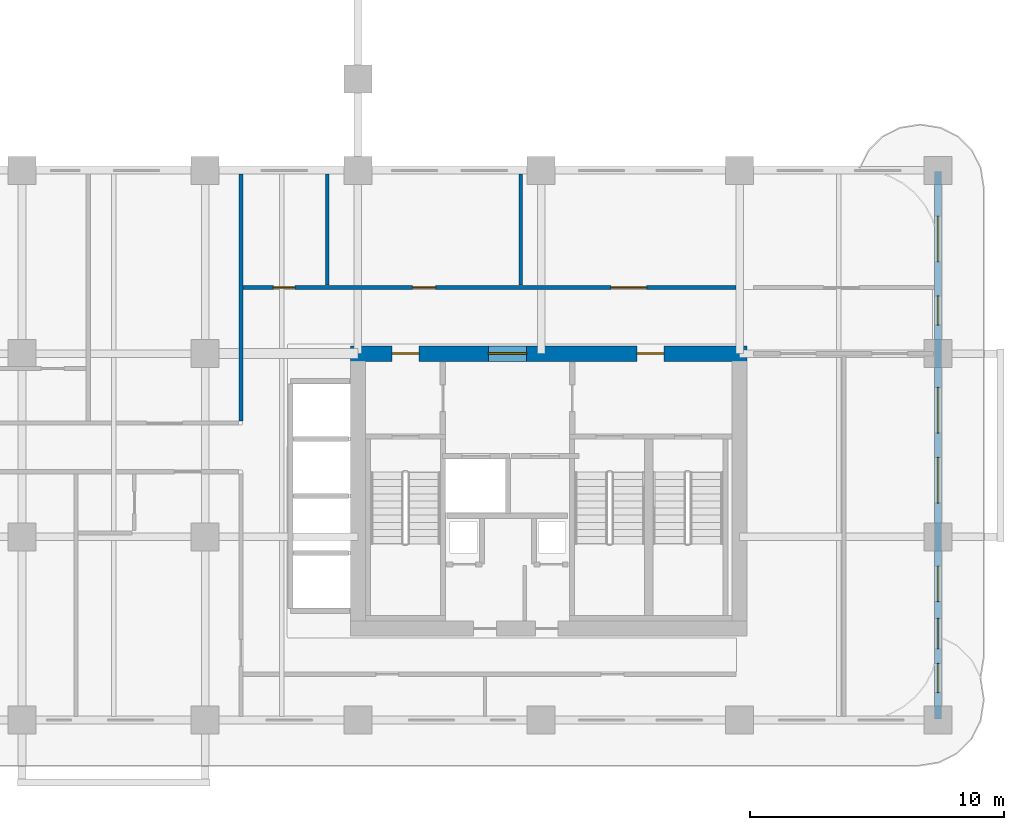
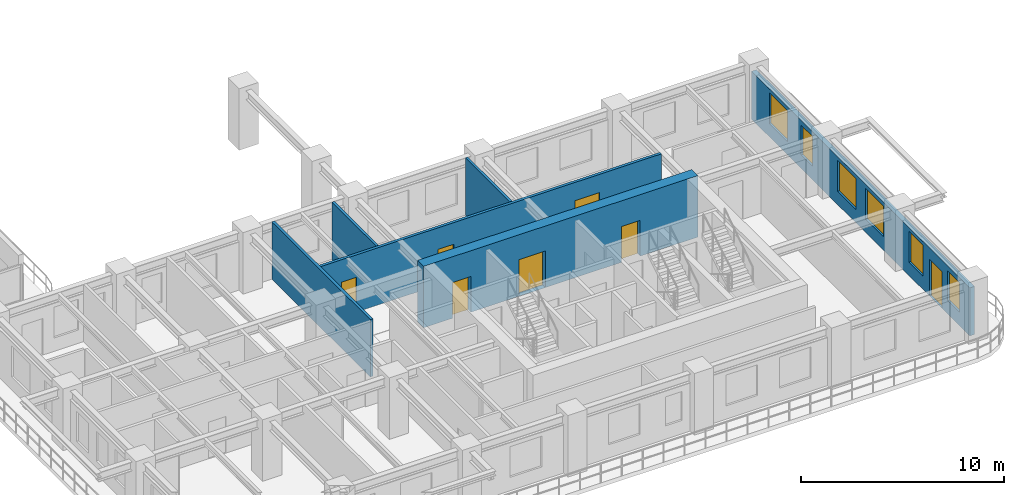
# One storey, part 9 of 19: 7 doors, 6 walls, 6 windows, 13 openings.
"""IFC4 building model written with IfcOpenShell, lengths in metres."""

from ifc_helpers import new_model, si_unit, derived_unit, direction, frame, frame_2d, origin, place, context, subcontext, project, spatial, rectangle, extrude, source, transform, mapped, material, layer, layer_set, type_object, type_shapes, element, fill, save


model = new_model("IFC4")

# Units and contexts
model_context = context("Model", 3, precision=1e-05, world=origin(), true_north=direction((0.0, 1.0)))
body_context = subcontext(model_context, "Body", "Model", "MODEL_VIEW")
ifc_project = project(units=[si_unit("LENGTHUNIT", "METRE"), si_unit("AREAUNIT", "SQUARE_METRE"), si_unit("VOLUMEUNIT", "CUBIC_METRE"), si_unit("PLANEANGLEUNIT", "RADIAN"), si_unit("MASSUNIT", "GRAM", prefix="KILO"), si_unit("THERMODYNAMICTEMPERATUREUNIT", "KELVIN"), si_unit("POWERUNIT", "WATT"), derived_unit("THERMALTRANSMITTANCEUNIT", [(si_unit("POWERUNIT", "WATT"), 1), (si_unit("AREAUNIT", "SQUARE_METRE"), -1), (si_unit("THERMODYNAMICTEMPERATUREUNIT", "KELVIN"), -1)])], contexts=[model_context])

# Site, building, storey
site_placement = place(None, origin())
site = spatial("IfcSite", under=ifc_project, at=site_placement, CompositionType="ELEMENT")
building_placement = place(site_placement, origin())
building = spatial("IfcBuilding", under=site, at=building_placement, Name="Zahravan Archway Hotel and Residences", CompositionType="ELEMENT")
storey_placement = place(building_placement, frame((0.0, 0.0, 43.5)))
storey = spatial("IfcBuildingStorey", under=building, at=storey_placement, Name="L09", CompositionType="ELEMENT", Elevation=43.5)

# Wall, openings, doors
ifc_material_1 = material(Name="Concrete C70/85", Category="concrete")
ifc_layer_1 = layer(ifc_material_1, 0.60009765625, Name="Concrete C70/85", Category="concrete")
ifc_layer_set_1 = layer_set([ifc_layer_1], Name="Concrete C70/85")
wall_type_1 = type_object("IfcWallType", Name="CW-CORE-600", PredefinedType="SHEAR", material=ifc_layer_set_1)
wall_1_placement = place(storey_placement, frame((34.5, 14.39990234375, 0.0), z_axis=(0.0, 0.0, 1.0), x_axis=(1.0, 0.0, 0.0)))
wall_1 = element("IfcWall", 1, at=wall_1_placement, inside=storey, type_object=wall_type_1, Name="L09 Core A Shear N Wall 600 mm", PredefinedType="SHEAR", context=body_context, shape_type="SweptSolid", body=[
    extrude(rectangle(XDim=15.60009765625, YDim=0.60009765625, at=frame_2d((7.800048828125, 0.0))), origin(), (0.0, 0.0, 1.0), 3.699951171875),
])
opening_1_placement = place(wall_1_placement, frame((5.429931640625, 0.0, 0.0)))
opening_1 = element("IfcOpeningElement", 2, at=opening_1_placement, cuts=wall_1, Name="Opening FD-L1", PredefinedType="OPENING", context=body_context, shape_type="SweptSolid", body=[
    extrude(rectangle(XDim=1.5, YDim=2.199951171875, at=frame_2d((0.75, 1.10009765625))), frame((0.0, 0.31005859375, 0.0), z_axis=(0.0, -1.0, 0.0), x_axis=(1.0, 0.0, 0.0)), (0.0, 0.0, 1.0), 0.6201171875),
])
opening_2_placement = place(wall_1_placement, frame((1.64501953125, 0.0, 0.0)))
opening_2 = element("IfcOpeningElement", 3, at=opening_2_placement, cuts=wall_1, Name="Opening FD-L2", PredefinedType="OPENING", context=body_context, shape_type="SweptSolid", body=[
    extrude(rectangle(XDim=1.050048828125, YDim=2.14990234375, at=frame_2d((0.52490234375, 1.074951171875))), frame((0.0, 0.31005859375, 0.0), z_axis=(0.0, -1.0, 0.0), x_axis=(1.0, 0.0, 0.0)), (0.0, 0.0, 1.0), 0.6201171875),
])
opening_3_placement = place(wall_1_placement, frame((11.27490234375, 0.0, 0.0)))
opening_3 = element("IfcOpeningElement", 4, at=opening_3_placement, cuts=wall_1, Name="Opening FD-L2", PredefinedType="OPENING", context=body_context, shape_type="SweptSolid", body=[
    extrude(rectangle(XDim=1.050048828125, YDim=2.14990234375, at=frame_2d((0.52490234375, 1.074951171875))), frame((0.0, 0.31005859375, 0.0), z_axis=(0.0, -1.0, 0.0), x_axis=(1.0, 0.0, 0.0)), (0.0, 0.0, 1.0), 0.6201171875),
])
ifc_material_2 = material(Name="Fire-Rated Painted Steel", Category="steel")
door_type_1 = type_object("IfcDoorType", Name="FD-LOBBY-1100", OperationType="NOTDEFINED", PredefinedType="DOOR", material=ifc_material_2)
shared_shape_1 = source(origin(), body_context, "Body", "SweptSolid", [
    extrude(rectangle(XDim=1.050048828125, YDim=2.14990234375, at=frame_2d((0.52490234375, 1.074951171875))), frame((0.0, 0.02490234375, 0.0), z_axis=(0.0, -1.0, 0.0), x_axis=(1.0, 0.0, 0.0)), (0.0, 0.0, 1.0), 0.050048828125),
])
type_shapes(door_type_1, [shared_shape_1])
door_1_placement = place(opening_2_placement, origin())
door_1 = element("IfcDoor", 5, at=door_1_placement, inside=storey, type_object=door_type_1, Name="L09 Core A West Stair Lobby Door", OperationType="SINGLE_SWING_RIGHT", OverallHeight=2.14990234375, OverallWidth=1.050048828125, PredefinedType="DOOR", context=body_context, shape_type="MappedRepresentation", body=[
    mapped(shared_shape_1, transform((0.0, 0.0, 0.0), scale=1.0)),
])
fill(opening_2, door_1)
door_2_placement = place(opening_3_placement, origin())
door_2 = element("IfcDoor", 6, at=door_2_placement, inside=storey, type_object=door_type_1, Name="L09 Core A East Stair Lobby Door", OperationType="SINGLE_SWING_LEFT", OverallHeight=2.14990234375, OverallWidth=1.050048828125, PredefinedType="DOOR", context=body_context, shape_type="MappedRepresentation", body=[
    mapped(shared_shape_1, transform((0.0, 0.0, 0.0), scale=1.0)),
])
fill(opening_3, door_2)
door_type_2 = type_object("IfcDoorType", Name="FD-LOBBY-1500", OperationType="DOUBLE_DOOR_SINGLE_SWING", PredefinedType="DOOR", material=ifc_material_2)
shared_shape_2 = source(origin(), body_context, "Body", "SweptSolid", [
    extrude(rectangle(XDim=1.5, YDim=2.199951171875, at=frame_2d((0.75, 1.10009765625))), frame((0.0, 0.02490234375, 0.0), z_axis=(0.0, -1.0, 0.0), x_axis=(1.0, 0.0, 0.0)), (0.0, 0.0, 1.0), 0.050048828125),
])
type_shapes(door_type_2, [shared_shape_2])
door_3_placement = place(opening_1_placement, origin())
door_3 = element("IfcDoor", 7, at=door_3_placement, inside=storey, type_object=door_type_2, Name="L09 Core A FSAE Lobby Main Door", OperationType="DOUBLE_DOOR_SINGLE_SWING", OverallHeight=2.199951171875, OverallWidth=1.5, PredefinedType="DOOR", context=body_context, shape_type="MappedRepresentation", body=[
    mapped(shared_shape_2, transform((0.0, 0.0, 0.0), scale=1.0)),
])
fill(opening_1, door_3)

# Wall, openings, door, windows
ifc_material_3 = material(Name="Honed Red-Ochre Sandstone & Insulated Block", Category="masonry")
ifc_layer_2 = layer(ifc_material_3, 0.280029296875, Name="Honed Red-Ochre Sandstone & Insulated Block", Category="masonry")
ifc_layer_set_2 = layer_set([ifc_layer_2], Name="Honed Red-Ochre Sandstone & Insulated Block")
wall_type_2 = type_object("IfcWallType", Name="EW-LOG-280", PredefinedType="SOLIDWALL", material=ifc_layer_set_2)
wall_2_placement = place(storey_placement, frame((57.60009765625, 0.050048828125, 0.0), z_axis=(0.0, 0.0, 1.0), x_axis=(0.0, 1.0, 0.0)))
wall_2 = element("IfcWall", 8, at=wall_2_placement, inside=storey, type_object=wall_type_2, Name="L09 Exterior Sandstone Wall WA-E", PredefinedType="SOLIDWALL", context=body_context, shape_type="SweptSolid", body=[
    extrude(rectangle(XDim=21.5, YDim=0.280029296875, at=frame_2d((10.75, 0.0))), origin(), (0.0, 0.0, 1.0), 2.885009765625),
])
opening_4_placement = place(wall_2_placement, frame((2.75, 0.0, 0.0)))
opening_4 = element("IfcOpeningElement", 9, at=opening_4_placement, cuts=wall_2, Name="Opening ED-BL1", PredefinedType="OPENING", context=body_context, shape_type="SweptSolid", body=[
    extrude(rectangle(XDim=1.199951171875, YDim=2.199951171875, at=frame_2d((0.60009765625, 1.10009765625))), frame((0.0, 0.14990234375, 0.0), z_axis=(0.0, -1.0, 0.0), x_axis=(1.0, 0.0, 0.0)), (0.0, 0.0, 1.0), 0.300048828125),
])
opening_5_placement = place(wall_2_placement, frame((1.02490234375, 0.0, 0.800048828125)))
opening_5 = element("IfcOpeningElement", 10, at=opening_5_placement, cuts=wall_2, Name="Opening W-05", PredefinedType="OPENING", context=body_context, shape_type="SweptSolid", body=[
    extrude(rectangle(XDim=1.14990234375, YDim=1.800048828125, at=frame_2d((0.574951171875, 0.89990234375))), frame((0.0, 0.14990234375, 0.0), z_axis=(0.0, -1.0, 0.0), x_axis=(1.0, 0.0, 0.0)), (0.0, 0.0, 1.0), 0.300048828125),
])
opening_6_placement = place(wall_2_placement, frame((4.60009765625, 0.0, 0.800048828125)))
opening_6 = element("IfcOpeningElement", 11, at=opening_6_placement, cuts=wall_2, Name="Opening W-03", PredefinedType="OPENING", context=body_context, shape_type="SweptSolid", body=[
    extrude(rectangle(XDim=1.39990234375, YDim=1.85009765625, at=frame_2d((0.699951171875, 0.925048828125))), frame((0.0, 0.14990234375, 0.0), z_axis=(0.0, -1.0, 0.0), x_axis=(1.0, 0.0, 0.0)), (0.0, 0.0, 1.0), 0.300048828125),
])
opening_7_placement = place(wall_2_placement, frame((8.47509765625, 0.0, 0.800048828125)))
opening_7 = element("IfcOpeningElement", 12, at=opening_7_placement, cuts=wall_2, Name="Opening W-02", PredefinedType="OPENING", context=body_context, shape_type="SweptSolid", body=[
    extrude(rectangle(XDim=1.800048828125, YDim=1.85009765625, at=frame_2d((0.89990234375, 0.925048828125))), frame((0.0, 0.14990234375, 0.0), z_axis=(0.0, -1.0, 0.0), x_axis=(1.0, 0.0, 0.0)), (0.0, 0.0, 1.0), 0.300048828125),
])
opening_8_placement = place(wall_2_placement, frame((11.22509765625, 0.0, 0.800048828125)))
opening_8 = element("IfcOpeningElement", 13, at=opening_8_placement, cuts=wall_2, Name="Opening W-02", PredefinedType="OPENING", context=body_context, shape_type="SweptSolid", body=[
    extrude(rectangle(XDim=1.800048828125, YDim=1.85009765625, at=frame_2d((0.89990234375, 0.925048828125))), frame((0.0, 0.14990234375, 0.0), z_axis=(0.0, -1.0, 0.0), x_axis=(1.0, 0.0, 0.0)), (0.0, 0.0, 1.0), 0.300048828125),
])
opening_9_placement = place(wall_2_placement, frame((15.470947265625, 0.0, 0.800048828125)))
opening_9 = element("IfcOpeningElement", 14, at=opening_9_placement, cuts=wall_2, Name="Opening W-05", PredefinedType="OPENING", context=body_context, shape_type="SweptSolid", body=[
    extrude(rectangle(XDim=1.14990234375, YDim=1.800048828125, at=frame_2d((0.574951171875, 0.89990234375))), frame((0.0, 0.14990234375, 0.0), z_axis=(0.0, -1.0, 0.0), x_axis=(1.0, 0.0, 0.0)), (0.0, 0.0, 1.0), 0.300048828125),
])
opening_10_placement = place(wall_2_placement, frame((17.9541015625, 0.0, 0.800048828125)))
opening_10 = element("IfcOpeningElement", 15, at=opening_10_placement, cuts=wall_2, Name="Opening W-02", PredefinedType="OPENING", context=body_context, shape_type="SweptSolid", body=[
    extrude(rectangle(XDim=1.800048828125, YDim=1.85009765625, at=frame_2d((0.89990234375, 0.925048828125))), frame((0.0, 0.14990234375, 0.0), z_axis=(0.0, -1.0, 0.0), x_axis=(1.0, 0.0, 0.0)), (0.0, 0.0, 1.0), 0.300048828125),
])
ifc_material_4 = material(Name="Bronze-Anodized Glazed Aluminium", Category="aluminium")
door_type_3 = type_object("IfcDoorType", Name="ED-BALC-1200", OperationType="SLIDING_TO_LEFT", PredefinedType="DOOR", material=ifc_material_4)
shared_shape_3 = source(origin(), body_context, "Body", "SweptSolid", [
    extrude(rectangle(XDim=1.199951171875, YDim=2.199951171875, at=frame_2d((0.60009765625, 1.10009765625))), frame((0.0, 0.02490234375, 0.0), z_axis=(0.0, -1.0, 0.0), x_axis=(1.0, 0.0, 0.0)), (0.0, 0.0, 1.0), 0.050048828125),
])
type_shapes(door_type_3, [shared_shape_3])
door_4_placement = place(opening_4_placement, origin())
door_4 = element("IfcDoor", 16, at=door_4_placement, inside=storey, type_object=door_type_3, Name="L09 Outdoor Access Sliding Door (SLB-BAL-L09-EA)", OperationType="SLIDING_TO_LEFT", OverallHeight=2.199951171875, OverallWidth=1.199951171875, PredefinedType="DOOR", context=body_context, shape_type="MappedRepresentation", body=[
    mapped(shared_shape_3, transform((0.0, 0.0, 0.0), scale=1.0)),
])
fill(opening_4, door_4)
ifc_material_5 = material(Name="Bronze-Anodized Thermal-Break Aluminium & Low-E Glass", Category="aluminium")
window_type_1 = type_object("IfcWindowType", Name="WIN-TWR-1400", PartitioningType="SINGLE_PANEL", PredefinedType="WINDOW", material=ifc_material_5)
shared_shape_4 = source(origin(), body_context, "Body", "SweptSolid", [
    extrude(rectangle(XDim=1.39990234375, YDim=1.85009765625, at=frame_2d((0.699951171875, 0.925048828125))), frame((0.0, 0.030029296875, 0.0), z_axis=(0.0, -1.0, 0.0), x_axis=(1.0, 0.0, 0.0)), (0.0, 0.0, 1.0), 0.06005859375),
])
type_shapes(window_type_1, [shared_shape_4])
window_1_placement = place(opening_6_placement, origin())
window_1 = element("IfcWindow", 17, at=window_1_placement, inside=storey, type_object=window_type_1, Name="L09 Loggia Window 12", OverallHeight=1.85009765625, OverallWidth=1.39990234375, PartitioningType="SINGLE_PANEL", PredefinedType="WINDOW", context=body_context, shape_type="MappedRepresentation", body=[
    mapped(shared_shape_4, transform((0.0, 0.0, 0.0), scale=1.0)),
])
fill(opening_6, window_1)
window_type_2 = type_object("IfcWindowType", Name="WIN-TWR-1800", PartitioningType="DOUBLE_PANEL_VERTICAL", PredefinedType="WINDOW", material=ifc_material_5)
shared_shape_5 = source(origin(), body_context, "Body", "SweptSolid", [
    extrude(rectangle(XDim=1.800048828125, YDim=1.85009765625, at=frame_2d((0.89990234375, 0.925048828125))), frame((0.0, 0.030029296875, 0.0), z_axis=(0.0, -1.0, 0.0), x_axis=(1.0, 0.0, 0.0)), (0.0, 0.0, 1.0), 0.06005859375),
])
type_shapes(window_type_2, [shared_shape_5])
window_2_placement = place(opening_7_placement, origin())
window_2 = element("IfcWindow", 18, at=window_2_placement, inside=storey, type_object=window_type_2, Name="L09 Loggia Window 13", OverallHeight=1.85009765625, OverallWidth=1.800048828125, PartitioningType="DOUBLE_PANEL_VERTICAL", PredefinedType="WINDOW", context=body_context, shape_type="MappedRepresentation", body=[
    mapped(shared_shape_5, transform((0.0, 0.0, 0.0), scale=1.0)),
])
fill(opening_7, window_2)
window_3_placement = place(opening_8_placement, origin())
window_3 = element("IfcWindow", 19, at=window_3_placement, inside=storey, type_object=window_type_2, Name="L09 Loggia Window 14", OverallHeight=1.85009765625, OverallWidth=1.800048828125, PartitioningType="DOUBLE_PANEL_VERTICAL", PredefinedType="WINDOW", context=body_context, shape_type="MappedRepresentation", body=[
    mapped(shared_shape_5, transform((0.0, 0.0, 0.0), scale=1.0)),
])
fill(opening_8, window_3)
window_4_placement = place(opening_10_placement, origin())
window_4 = element("IfcWindow", 20, at=window_4_placement, inside=storey, type_object=window_type_2, Name="L09 Loggia Window 16", OverallHeight=1.85009765625, OverallWidth=1.800048828125, PartitioningType="DOUBLE_PANEL_VERTICAL", PredefinedType="WINDOW", context=body_context, shape_type="MappedRepresentation", body=[
    mapped(shared_shape_5, transform((0.0, 0.0, 0.0), scale=1.0)),
])
fill(opening_10, window_4)
window_type_3 = type_object("IfcWindowType", Name="WIN-TWR-1150", PartitioningType="SINGLE_PANEL", PredefinedType="WINDOW", material=ifc_material_5)
shared_shape_6 = source(origin(), body_context, "Body", "SweptSolid", [
    extrude(rectangle(XDim=1.14990234375, YDim=1.800048828125, at=frame_2d((0.574951171875, 0.89990234375))), frame((0.0, 0.030029296875, 0.0), z_axis=(0.0, -1.0, 0.0), x_axis=(1.0, 0.0, 0.0)), (0.0, 0.0, 1.0), 0.06005859375),
])
type_shapes(window_type_3, [shared_shape_6])
window_5_placement = place(opening_5_placement, origin())
window_5 = element("IfcWindow", 21, at=window_5_placement, inside=storey, type_object=window_type_3, Name="L09 Loggia Window 11", OverallHeight=1.800048828125, OverallWidth=1.14990234375, PartitioningType="SINGLE_PANEL", PredefinedType="WINDOW", context=body_context, shape_type="MappedRepresentation", body=[
    mapped(shared_shape_6, transform((0.0, 0.0, 0.0), scale=1.0)),
])
fill(opening_5, window_5)
window_6_placement = place(opening_9_placement, origin())
window_6 = element("IfcWindow", 22, at=window_6_placement, inside=storey, type_object=window_type_3, Name="L09 Loggia Window 15", OverallHeight=1.800048828125, OverallWidth=1.14990234375, PartitioningType="SINGLE_PANEL", PredefinedType="WINDOW", context=body_context, shape_type="MappedRepresentation", body=[
    mapped(shared_shape_6, transform((0.0, 0.0, 0.0), scale=1.0)),
])
fill(opening_9, window_6)

# Wall
ifc_material_6 = material(Name="Fire-Rated Gypsum & Concrete Block", Category="concrete")
ifc_layer_3 = layer(ifc_material_6, 0.159912109375, Name="Fire-Rated Gypsum & Concrete Block", Category="concrete")
ifc_layer_set_3 = layer_set([ifc_layer_3], Name="Fire-Rated Gypsum & Concrete Block")
wall_type_3 = type_object("IfcWallType", Name="PW-CORR-160", PredefinedType="PARTITIONING", material=ifc_layer_set_3)
wall_3_placement = place(storey_placement, frame((30.199951171875, 11.760009765625, 0.0), z_axis=(0.0, 0.0, 1.0), x_axis=(0.0, 1.0, 0.0)))
element("IfcWall", 23, at=wall_3_placement, inside=storey, type_object=wall_type_3, Name="L09 Partition WA-FW", PredefinedType="PARTITIONING", context=body_context, shape_type="SweptSolid", body=[
    extrude(rectangle(XDim=9.699951171875, YDim=0.159912109375, at=frame_2d((4.85009765625, 0.0))), origin(), (0.0, 0.0, 1.0), 3.449951171875),
])

# Wall, openings, doors
wall_4_placement = place(storey_placement, frame((30.2900390625, 17.0, 0.0), z_axis=(0.0, 0.0, 1.0), x_axis=(1.0, 0.0, 0.0)))
wall_4 = element("IfcWall", 24, at=wall_4_placement, inside=storey, type_object=wall_type_3, Name="L09 Partition WA-FN", PredefinedType="PARTITIONING", context=body_context, shape_type="SweptSolid", body=[
    extrude(rectangle(XDim=19.369873046875, YDim=0.159912109375, at=frame_2d((9.68505859375, 0.0))), origin(), (0.0, 0.0, 1.0), 3.449951171875),
])
opening_11_placement = place(wall_4_placement, frame((1.18505859375, 0.0, 0.0)))
opening_11 = element("IfcOpeningElement", 25, at=opening_11_placement, cuts=wall_4, Name="Opening D-B1", PredefinedType="OPENING", context=body_context, shape_type="SweptSolid", body=[
    extrude(rectangle(XDim=0.85009765625, YDim=2.10009765625, at=frame_2d((0.425048828125, 1.050048828125))), frame((0.0, 0.08984375, 0.0), z_axis=(0.0, -1.0, 0.0), x_axis=(1.0, 0.0, 0.0)), (0.0, 0.0, 1.0), 0.179931640625),
])
opening_12_placement = place(wall_4_placement, frame((6.659912109375, 0.0, 0.0)))
opening_12 = element("IfcOpeningElement", 26, at=opening_12_placement, cuts=wall_4, Name="Opening D-I2", PredefinedType="OPENING", context=body_context, shape_type="SweptSolid", body=[
    extrude(rectangle(XDim=0.89990234375, YDim=2.14990234375, at=frame_2d((0.449951171875, 1.074951171875))), frame((0.0, 0.08984375, 0.0), z_axis=(0.0, -1.0, 0.0), x_axis=(1.0, 0.0, 0.0)), (0.0, 0.0, 1.0), 0.179931640625),
])
opening_13_placement = place(wall_4_placement, frame((14.4599609375, 0.0, 0.0)))
opening_13 = element("IfcOpeningElement", 27, at=opening_13_placement, cuts=wall_4, Name="Opening D-P1", PredefinedType="OPENING", context=body_context, shape_type="SweptSolid", body=[
    extrude(rectangle(XDim=1.39990234375, YDim=2.35009765625, at=frame_2d((0.699951171875, 1.175048828125))), frame((0.0, 0.08984375, 0.0), z_axis=(0.0, -1.0, 0.0), x_axis=(1.0, 0.0, 0.0)), (0.0, 0.0, 1.0), 0.179931640625),
])
ifc_material_7 = material(Name="Hardwood Veneer Timber", Category="wood")
door_type_4 = type_object("IfcDoorType", Name="ID-BATH-850", OperationType="NOTDEFINED", PredefinedType="DOOR", material=ifc_material_7)
shared_shape_7 = source(origin(), body_context, "Body", "SweptSolid", [
    extrude(rectangle(XDim=0.85009765625, YDim=2.10009765625, at=frame_2d((0.425048828125, 1.050048828125))), frame((0.0, 0.02490234375, 0.0), z_axis=(0.0, -1.0, 0.0), x_axis=(1.0, 0.0, 0.0)), (0.0, 0.0, 1.0), 0.050048828125),
])
type_shapes(door_type_4, [shared_shape_7])
door_5_placement = place(opening_11_placement, origin())
door_5 = element("IfcDoor", 28, at=door_5_placement, inside=storey, type_object=door_type_4, Name="L09 Accessible Floor Restroom Door", OperationType="SINGLE_SWING_RIGHT", OverallHeight=2.10009765625, OverallWidth=0.85009765625, PredefinedType="DOOR", context=body_context, shape_type="MappedRepresentation", body=[
    mapped(shared_shape_7, transform((0.0, 0.0, 0.0), scale=1.0)),
])
fill(opening_11, door_5)
door_type_5 = type_object("IfcDoorType", Name="ID-PUBLIC-1400", OperationType="DOUBLE_DOOR_SINGLE_SWING", PredefinedType="DOOR", material=ifc_material_4)
shared_shape_8 = source(origin(), body_context, "Body", "SweptSolid", [
    extrude(rectangle(XDim=1.39990234375, YDim=2.35009765625, at=frame_2d((0.699951171875, 1.175048828125))), frame((0.0, 0.02490234375, 0.0), z_axis=(0.0, -1.0, 0.0), x_axis=(1.0, 0.0, 0.0)), (0.0, 0.0, 1.0), 0.050048828125),
])
type_shapes(door_type_5, [shared_shape_8])
door_6_placement = place(opening_13_placement, origin())
door_6 = element("IfcDoor", 29, at=door_6_placement, inside=storey, type_object=door_type_5, Name="L09 Co-Working Room Door", OperationType="DOUBLE_DOOR_SINGLE_SWING", OverallHeight=2.35009765625, OverallWidth=1.39990234375, PredefinedType="DOOR", context=body_context, shape_type="MappedRepresentation", body=[
    mapped(shared_shape_8, transform((0.0, 0.0, 0.0), scale=1.0)),
])
fill(opening_13, door_6)
door_type_6 = type_object("IfcDoorType", Name="ID-INT-900", OperationType="NOTDEFINED", PredefinedType="DOOR", material=ifc_material_7)
shared_shape_9 = source(origin(), body_context, "Body", "SweptSolid", [
    extrude(rectangle(XDim=0.89990234375, YDim=2.14990234375, at=frame_2d((0.449951171875, 1.074951171875))), frame((0.0, 0.02490234375, 0.0), z_axis=(0.0, -1.0, 0.0), x_axis=(1.0, 0.0, 0.0)), (0.0, 0.0, 1.0), 0.050048828125),
])
type_shapes(door_type_6, [shared_shape_9])
door_7_placement = place(opening_12_placement, origin())
door_7 = element("IfcDoor", 30, at=door_7_placement, inside=storey, type_object=door_type_6, Name="L09 Tea Servery Door", OperationType="SINGLE_SWING_LEFT", OverallHeight=2.14990234375, OverallWidth=0.89990234375, PredefinedType="DOOR", context=body_context, shape_type="MappedRepresentation", body=[
    mapped(shared_shape_9, transform((0.0, 0.0, 0.0), scale=1.0)),
])
fill(opening_12, door_7)

# Walls
ifc_material_8 = material(Name="Moisture-Resistant Blockwork", Category="masonry")
ifc_layer_4 = layer(ifc_material_8, 0.139892578125, Name="Moisture-Resistant Blockwork", Category="masonry")
ifc_layer_set_4 = layer_set([ifc_layer_4], Name="Moisture-Resistant Blockwork")
wall_type_4 = type_object("IfcWallType", Name="PW-WET-140", PredefinedType="PARTITIONING", material=ifc_layer_set_4)
for number, where, z_axis, x_axis, name in (
    (31, (33.60009765625, 17.090087890625, 0.0), (0.0, 0.0, 1.0), (0.0, 1.0, 0.0), "L09 Partition NE0-1"),
    (32, (41.199951171875, 17.090087890625, 0.0), (0.0, 0.0, 1.0), (0.0, 1.0, 0.0), "L09 Partition NE0-2"),
):
    element("IfcWall", number, at=place(storey_placement, frame(where, z_axis=z_axis, x_axis=x_axis)), inside=storey, type_object=wall_type_4, Name=name, PredefinedType="PARTITIONING", context=body_context, shape_type="SweptSolid", body=[
        extrude(rectangle(XDim=4.36181640625, YDim=0.139892578125, at=frame_2d((2.180908203125, 0.0))), origin(), (0.0, 0.0, 1.0), 3.449951171875),
    ])

save(model, "model.ifc")
